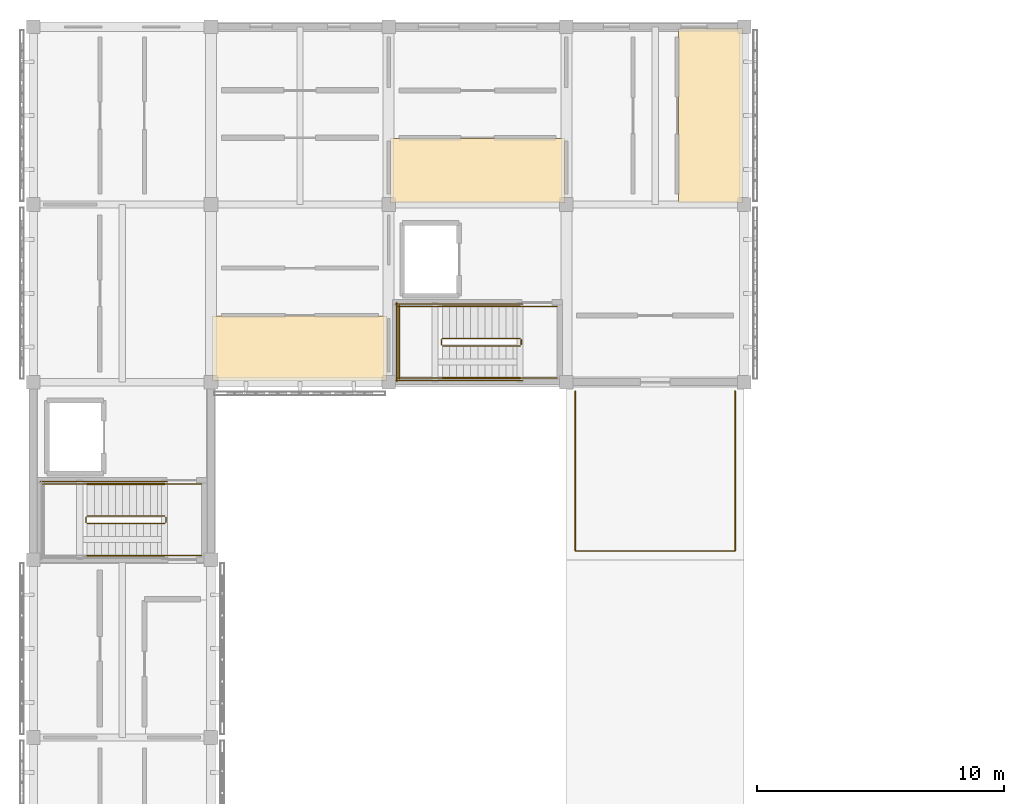
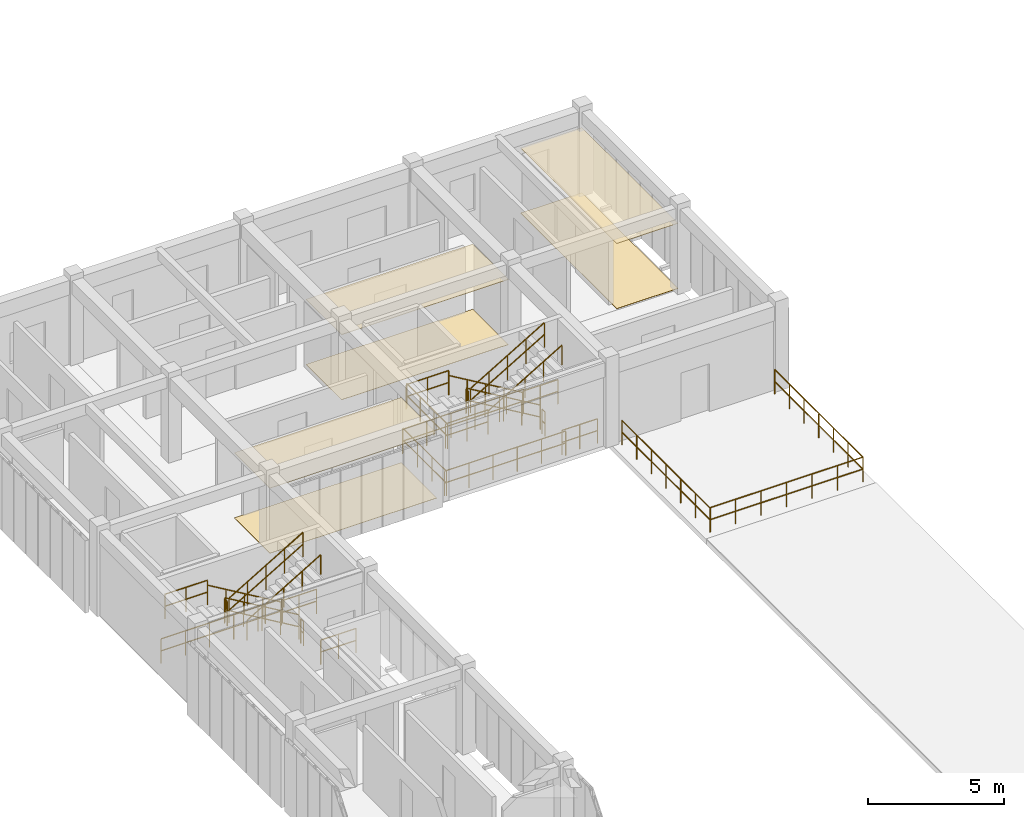
# One storey, part 32 of 33: 27 railings, 6 coverings.
"""IFC4 building model written with IfcOpenShell, lengths in metres."""

from ifc_helpers import new_model, si_unit, direction, frame, origin, origin_2d, place, context, subcontext, project, spatial, polyline, circle, outline, extrude, material, layer, layer_set, type_object, element, save


model = new_model("IFC4")

# Units and contexts
model_context = context("Model", 3, precision=1e-05, world=origin(), true_north=direction((0.0, 1.0)))
body_context = subcontext(model_context, "Body", "Model", "MODEL_VIEW")
ifc_project = project(units=[si_unit("LENGTHUNIT", "METRE"), si_unit("AREAUNIT", "SQUARE_METRE"), si_unit("VOLUMEUNIT", "CUBIC_METRE"), si_unit("PLANEANGLEUNIT", "RADIAN"), si_unit("MASSUNIT", "GRAM", prefix="KILO")], contexts=[model_context])

# Site, building, storey
site_placement = place(None, origin())
site = spatial("IfcSite", under=ifc_project, at=site_placement, CompositionType="ELEMENT")
building_placement = place(site_placement, origin())
building = spatial("IfcBuilding", under=site, at=building_placement, Name="Aldebral Square Health Centre", CompositionType="ELEMENT")
storey_placement = place(building_placement, frame((0.0, 0.0, 17.550048828125)))
storey = spatial("IfcBuildingStorey", under=building, at=storey_placement, Name="L04", CompositionType="ELEMENT", Elevation=17.550048828125)

# Coverings
ifc_material_1 = material(Name="Hygienic acoustic mineral ceiling tile")
ifc_layer_1 = layer(ifc_material_1, 0.02001953125, Name="Hygienic acoustic mineral ceiling tile")
ifc_layer_set_1 = layer_set([ifc_layer_1], Name="Hygienic acoustic mineral ceiling tile")
covering_type_1 = type_object("IfcCoveringType", Name="COV-CLG-AC", PredefinedType="CEILING", material=ifc_layer_set_1)
covering_1_placement = place(storey_placement, frame((0.0, 0.0, 2.919921875)))
element("IfcCovering", 1, at=covering_1_placement, inside=storey, type_object=covering_type_1, Name="L04 Preventive Screening Room 2.15S acoustic ceiling", PredefinedType="CEILING", context=body_context, shape_type="SweptSolid", body=[
    extrude(outline(polyline([(7.260009765625, 100.860107421875), (14.340087890625, 100.860107421875), (14.340087890625, 103.47998046875), (7.260009765625, 103.47998046875), (7.260009765625, 100.860107421875)])), origin(), (0.0, 0.0, 1.0), 0.02001953125),
])
covering_2_placement = place(storey_placement, frame((0.0, 0.0, 2.919921875)))
element("IfcCovering", 2, at=covering_2_placement, inside=storey, type_object=covering_type_1, Name="L04 Neurology Consulting Suite 3.16S acoustic ceiling", PredefinedType="CEILING", context=body_context, shape_type="SweptSolid", body=[
    extrude(outline(polyline([(14.4599609375, 108.06005859375), (21.5400390625, 108.06005859375), (21.5400390625, 110.679931640625), (14.4599609375, 110.679931640625), (14.4599609375, 108.06005859375)])), origin(), (0.0, 0.0, 1.0), 0.02001953125),
])
covering_3_placement = place(storey_placement, frame((0.0, 0.0, 2.919921875)))
element("IfcCovering", 3, at=covering_3_placement, inside=storey, type_object=covering_type_1, Name="L04 Accessible WC 4.16E acoustic ceiling", PredefinedType="CEILING", context=body_context, shape_type="SweptSolid", body=[
    extrude(outline(polyline([(26.139892578125, 108.06005859375), (28.739990234375, 108.06005859375), (28.739990234375, 115.139892578125), (26.139892578125, 115.139892578125), (26.139892578125, 108.06005859375)])), origin(), (0.0, 0.0, 1.0), 0.02001953125),
])
ifc_material_2 = material(Name="Antimicrobial clinical vinyl flooring")
ifc_layer_2 = layer(ifc_material_2, 0.014892578125, Name="Antimicrobial clinical vinyl flooring")
ifc_layer_set_2 = layer_set([ifc_layer_2], Name="Antimicrobial clinical vinyl flooring")
covering_type_2 = type_object("IfcCoveringType", Name="COV-FLR-VN", PredefinedType="FLOORING", material=ifc_layer_set_2)
covering_4_placement = place(storey_placement, origin())
element("IfcCovering", 4, at=covering_4_placement, inside=storey, type_object=covering_type_2, Name="L04 Preventive Screening Room 2.15S clinical flooring", PredefinedType="FLOORING", context=body_context, shape_type="SweptSolid", body=[
    extrude(outline(polyline([(7.260009765625, 100.860107421875), (14.340087890625, 100.860107421875), (14.340087890625, 103.47998046875), (7.260009765625, 103.47998046875), (7.260009765625, 100.860107421875)])), origin(), (0.0, 0.0, 1.0), 0.014892578125),
])
covering_5_placement = place(storey_placement, origin())
element("IfcCovering", 5, at=covering_5_placement, inside=storey, type_object=covering_type_2, Name="L04 Neurology Consulting Suite 3.16S clinical flooring", PredefinedType="FLOORING", context=body_context, shape_type="SweptSolid", body=[
    extrude(outline(polyline([(14.4599609375, 108.06005859375), (21.5400390625, 108.06005859375), (21.5400390625, 110.679931640625), (14.4599609375, 110.679931640625), (14.4599609375, 108.06005859375)])), origin(), (0.0, 0.0, 1.0), 0.014892578125),
])
covering_6_placement = place(storey_placement, origin())
element("IfcCovering", 6, at=covering_6_placement, inside=storey, type_object=covering_type_2, Name="L04 Accessible WC 4.16E clinical flooring", PredefinedType="FLOORING", context=body_context, shape_type="SweptSolid", body=[
    extrude(outline(polyline([(26.139892578125, 108.06005859375), (28.739990234375, 108.06005859375), (28.739990234375, 115.139892578125), (26.139892578125, 115.139892578125), (26.139892578125, 108.06005859375)])), origin(), (0.0, 0.0, 1.0), 0.014892578125),
])

# Railings
ifc_material_3 = material(Name="Cream cantera and steel balustrade", Category="steel")
railing_type_1 = type_object("IfcRailingType", Name="RL-EXT-BAL", PredefinedType="BALUSTRADE", material=ifc_material_3)
railing_1_placement = place(storey_placement, frame((21.9599609375, 93.9599609375, 0.0)))
element("IfcRailing", 7, at=railing_1_placement, inside=storey, type_object=railing_type_1, Name="L04 Garden Terrace perimeter guard 4", PredefinedType="BALUSTRADE", context=body_context, shape_type="SweptSolid", body=[
    extrude(circle(Radius=0.02392578125, at=origin_2d()), frame((0.0, 0.0, 1.09619140625), z_axis=(1.0, 0.0, 0.0), x_axis=(0.0, 1.0, 0.0)), (0.0, 0.0, 1.0), 6.47998046875),
    extrude(circle(Radius=0.02392578125, at=origin_2d()), frame((0.0, 0.0, 0.56005859375), z_axis=(1.0, 0.0, 0.0), x_axis=(0.0, 1.0, 0.0)), (0.0, 0.0, 1.0), 6.47998046875),
    extrude(circle(Radius=0.02099609375, at=origin_2d()), origin(), (0.0, 0.0, 1.0), 1.072021484375),
    extrude(circle(Radius=0.02099609375, at=origin_2d()), frame((1.080078125, 0.0, 0.0)), (0.0, 0.0, 1.0), 1.072021484375),
    extrude(circle(Radius=0.02099609375, at=origin_2d()), frame((2.159912109375, 0.0, 0.0)), (0.0, 0.0, 1.0), 1.072021484375),
    extrude(circle(Radius=0.02099609375, at=origin_2d()), frame((3.239990234375, 0.0, 0.0)), (0.0, 0.0, 1.0), 1.072021484375),
    extrude(circle(Radius=0.02099609375, at=origin_2d()), frame((4.320068359375, 0.0, 0.0)), (0.0, 0.0, 1.0), 1.072021484375),
    extrude(circle(Radius=0.02099609375, at=origin_2d()), frame((5.39990234375, 0.0, 0.0)), (0.0, 0.0, 1.0), 1.072021484375),
    extrude(circle(Radius=0.02099609375, at=origin_2d()), frame((6.47998046875, 0.0, 0.0)), (0.0, 0.0, 1.0), 1.072021484375),
])
railing_2_placement = place(storey_placement, frame((28.43994140625, 93.9599609375, 0.0)))
element("IfcRailing", 8, at=railing_2_placement, inside=storey, type_object=railing_type_1, Name="L04 Garden Terrace perimeter guard 6", PredefinedType="BALUSTRADE", context=body_context, shape_type="SweptSolid", body=[
    extrude(circle(Radius=0.02392578125, at=origin_2d()), frame((0.0, 0.0, 1.09619140625), z_axis=(0.0, 1.0, 0.0), x_axis=(-1.0, 0.0, 0.0)), (0.0, 0.0, 1.0), 6.47998046875),
    extrude(circle(Radius=0.02392578125, at=origin_2d()), frame((0.0, 0.0, 0.56005859375), z_axis=(0.0, 1.0, 0.0), x_axis=(-1.0, 0.0, 0.0)), (0.0, 0.0, 1.0), 6.47998046875),
    extrude(circle(Radius=0.02099609375, at=origin_2d()), origin(), (0.0, 0.0, 1.0), 1.072021484375),
    extrude(circle(Radius=0.02099609375, at=origin_2d()), frame((0.0, 1.080078125, 0.0)), (0.0, 0.0, 1.0), 1.072021484375),
    extrude(circle(Radius=0.02099609375, at=origin_2d()), frame((0.0, 2.159912109375, 0.0)), (0.0, 0.0, 1.0), 1.072021484375),
    extrude(circle(Radius=0.02099609375, at=origin_2d()), frame((0.0, 3.239990234375, 0.0)), (0.0, 0.0, 1.0), 1.072021484375),
    extrude(circle(Radius=0.02099609375, at=origin_2d()), frame((0.0, 4.320068359375, 0.0)), (0.0, 0.0, 1.0), 1.072021484375),
    extrude(circle(Radius=0.02099609375, at=origin_2d()), frame((0.0, 5.39990234375, 0.0)), (0.0, 0.0, 1.0), 1.072021484375),
    extrude(circle(Radius=0.02099609375, at=origin_2d()), frame((0.0, 6.47998046875, 0.0)), (0.0, 0.0, 1.0), 1.072021484375),
])
ifc_material_4 = material(Name="Painted steel S355JR guard", Category="steel")
railing_type_2 = type_object("IfcRailingType", Name="RL-EXT-GRD", PredefinedType="GUARDRAIL", material=ifc_material_4)
railing_3_placement = place(storey_placement, frame((21.9599609375, 93.9599609375, 0.0)))
element("IfcRailing", 9, at=railing_3_placement, inside=storey, type_object=railing_type_2, Name="L04 Garden Terrace perimeter guard 5", PredefinedType="GUARDRAIL", context=body_context, shape_type="SweptSolid", body=[
    extrude(circle(Radius=0.02392578125, at=origin_2d()), frame((0.0, 0.0, 1.076171875), z_axis=(0.0, 1.0, 0.0), x_axis=(-1.0, 0.0, 0.0)), (0.0, 0.0, 1.0), 6.47998046875),
    extrude(circle(Radius=0.02392578125, at=origin_2d()), frame((0.0, 0.0, 0.550048828125), z_axis=(0.0, 1.0, 0.0), x_axis=(-1.0, 0.0, 0.0)), (0.0, 0.0, 1.0), 6.47998046875),
    extrude(circle(Radius=0.02099609375, at=origin_2d()), origin(), (0.0, 0.0, 1.0), 1.052001953125),
    extrude(circle(Radius=0.02099609375, at=origin_2d()), frame((0.0, 1.080078125, 0.0)), (0.0, 0.0, 1.0), 1.052001953125),
    extrude(circle(Radius=0.02099609375, at=origin_2d()), frame((0.0, 2.159912109375, 0.0)), (0.0, 0.0, 1.0), 1.052001953125),
    extrude(circle(Radius=0.02099609375, at=origin_2d()), frame((0.0, 3.239990234375, 0.0)), (0.0, 0.0, 1.0), 1.052001953125),
    extrude(circle(Radius=0.02099609375, at=origin_2d()), frame((0.0, 4.320068359375, 0.0)), (0.0, 0.0, 1.0), 1.052001953125),
    extrude(circle(Radius=0.02099609375, at=origin_2d()), frame((0.0, 5.39990234375, 0.0)), (0.0, 0.0, 1.0), 1.052001953125),
    extrude(circle(Radius=0.02099609375, at=origin_2d()), frame((0.0, 6.47998046875, 0.0)), (0.0, 0.0, 1.0), 1.052001953125),
])
ifc_material_5 = material(Name="Painted steel S355JR stair guard", Category="steel")
railing_type_3 = type_object("IfcRailingType", Name="RL-ST-GRD", PredefinedType="GUARDRAIL", material=ifc_material_5)
railing_4_placement = place(storey_placement, frame((5.320068359375, 95.3701171875, 0.168701171875)))
element("IfcRailing", 10, at=railing_4_placement, inside=storey, type_object=railing_type_3, Name="L04 ST-01 stair guard 1", PredefinedType="GUARDRAIL", context=body_context, shape_type="SweptSolid", body=[
    extrude(circle(Radius=0.02392578125, at=origin_2d()), frame((0.0, 0.0, 1.09619140625), z_axis=(-0.860481960309, 0.0, 0.509480908359), x_axis=(0.0, -1.0, 0.0)), (0.0, 0.0, 1.0), 3.643310546875),
    extrude(circle(Radius=0.02392578125, at=origin_2d()), frame((0.0, 0.0, 0.56005859375), z_axis=(-0.860481960309, 0.0, 0.509480908359), x_axis=(0.0, -1.0, 0.0)), (0.0, 0.0, 1.0), 3.643310546875),
    extrude(circle(Radius=0.02099609375, at=origin_2d()), origin(), (0.0, 0.0, 1.0), 1.072021484375),
    extrude(circle(Radius=0.02099609375, at=origin_2d()), frame((-0.78369140625, 0.0, 0.464111328125)), (0.0, 0.0, 1.0), 1.072021484375),
    extrude(circle(Radius=0.02099609375, at=origin_2d()), frame((-1.5673828125, 0.0, 0.92822265625)), (0.0, 0.0, 1.0), 1.072021484375),
    extrude(circle(Radius=0.02099609375, at=origin_2d()), frame((-2.351318359375, 0.0, 1.39208984375)), (0.0, 0.0, 1.0), 1.072021484375),
    extrude(circle(Radius=0.02099609375, at=origin_2d()), frame((-3.135009765625, 0.0, 1.856201171875)), (0.0, 0.0, 1.0), 1.072021484375),
])
railing_5_placement = place(storey_placement, frame((2.135009765625, 95.320068359375, 2.02490234375)))
element("IfcRailing", 11, at=railing_5_placement, inside=storey, type_object=railing_type_3, Name="L04 ST-01 stair guard 2", PredefinedType="GUARDRAIL", context=body_context, shape_type="SweptSolid", body=[
    extrude(circle(Radius=0.02392578125, at=origin_2d()), frame((0.0, 0.0, 1.09619140625), z_axis=(0.0, -1.0, 0.0), x_axis=(1.0, 0.0, 0.0)), (0.0, 0.0, 1.0), 0.199951171875),
    extrude(circle(Radius=0.02392578125, at=origin_2d()), frame((0.0, 0.0, 0.56005859375), z_axis=(0.0, -1.0, 0.0), x_axis=(1.0, 0.0, 0.0)), (0.0, 0.0, 1.0), 0.199951171875),
    extrude(circle(Radius=0.02099609375, at=origin_2d()), origin(), (0.0, 0.0, 1.0), 1.072021484375),
    extrude(circle(Radius=0.02099609375, at=origin_2d()), frame((0.0, -0.199951171875, 0.0)), (0.0, 0.0, 1.0), 1.072021484375),
])
railing_6_placement = place(storey_placement, frame((2.18505859375, 96.669921875, 2.02490234375)))
element("IfcRailing", 12, at=railing_6_placement, inside=storey, type_object=railing_type_3, Name="L04 ST-01 stair guard 3", PredefinedType="GUARDRAIL", context=body_context, shape_type="SweptSolid", body=[
    extrude(circle(Radius=0.02392578125, at=origin_2d()), frame((0.0, 0.0, 1.09619140625), z_axis=(-1.0, 0.0, 0.0), x_axis=(0.0, -1.0, 0.0)), (0.0, 0.0, 1.0), 1.80517578125),
    extrude(circle(Radius=0.02392578125, at=origin_2d()), frame((0.0, 0.0, 0.56005859375), z_axis=(-1.0, 0.0, 0.0), x_axis=(0.0, -1.0, 0.0)), (0.0, 0.0, 1.0), 1.80517578125),
    extrude(circle(Radius=0.02099609375, at=origin_2d()), origin(), (0.0, 0.0, 1.0), 1.072021484375),
    extrude(circle(Radius=0.02099609375, at=origin_2d()), frame((-0.902587890625, 0.0, 0.0)), (0.0, 0.0, 1.0), 1.072021484375),
    extrude(circle(Radius=0.02099609375, at=origin_2d()), frame((-1.80517578125, 0.0, 0.0)), (0.0, 0.0, 1.0), 1.072021484375),
])
railing_7_placement = place(storey_placement, frame((2.18505859375, 95.070068359375, 2.193603515625)))
element("IfcRailing", 13, at=railing_7_placement, inside=storey, type_object=railing_type_3, Name="L04 ST-01 stair guard 6", PredefinedType="GUARDRAIL", context=body_context, shape_type="SweptSolid", body=[
    extrude(circle(Radius=0.02392578125, at=origin_2d()), frame((0.0, 0.0, 1.09619140625), z_axis=(0.860452582533, 0.0, 0.509530522356), x_axis=(0.0, 1.0, 0.0)), (0.0, 0.0, 1.0), 3.6435546875),
    extrude(circle(Radius=0.02392578125, at=origin_2d()), frame((0.0, 0.0, 0.56005859375), z_axis=(0.860452582533, 0.0, 0.509530522356), x_axis=(0.0, 1.0, 0.0)), (0.0, 0.0, 1.0), 3.6435546875),
    extrude(circle(Radius=0.02099609375, at=origin_2d()), origin(), (0.0, 0.0, 1.0), 1.072021484375),
    extrude(circle(Radius=0.02099609375, at=origin_2d()), frame((0.78369140625, 0.0, 0.464111328125)), (0.0, 0.0, 1.0), 1.072021484375),
    extrude(circle(Radius=0.02099609375, at=origin_2d()), frame((1.5673828125, 0.0, 0.92822265625)), (0.0, 0.0, 1.0), 1.072021484375),
    extrude(circle(Radius=0.02099609375, at=origin_2d()), frame((2.351318359375, 0.0, 1.392333984375)), (0.0, 0.0, 1.0), 1.072021484375),
    extrude(circle(Radius=0.02099609375, at=origin_2d()), frame((3.135009765625, 0.0, 1.8564453125)), (0.0, 0.0, 1.0), 1.072021484375),
])
railing_8_placement = place(storey_placement, frame((5.3701171875, 95.320068359375, 0.0)))
element("IfcRailing", 14, at=railing_8_placement, inside=storey, type_object=railing_type_3, Name="L04 ST-01 stair guard 7", PredefinedType="GUARDRAIL", context=body_context, shape_type="SweptSolid", body=[
    extrude(circle(Radius=0.02392578125, at=origin_2d()), frame((0.0, 0.0, 1.09619140625), z_axis=(0.0, -1.0, 0.0), x_axis=(1.0, 0.0, 0.0)), (0.0, 0.0, 1.0), 0.199951171875),
    extrude(circle(Radius=0.02392578125, at=origin_2d()), frame((0.0, 0.0, 0.56005859375), z_axis=(0.0, -1.0, 0.0), x_axis=(1.0, 0.0, 0.0)), (0.0, 0.0, 1.0), 0.199951171875),
    extrude(circle(Radius=0.02099609375, at=origin_2d()), origin(), (0.0, 0.0, 1.0), 1.072021484375),
    extrude(circle(Radius=0.02099609375, at=origin_2d()), frame((0.0, -0.199951171875, 0.0)), (0.0, 0.0, 1.0), 1.072021484375),
])
for number, where, name in (
    (15, (6.820068359375, 96.669921875, 0.0), "L04 ST-01 stair guard 8"),
    (16, (6.820068359375, 93.77001953125, 0.0), "L04 ST-01 stair guard 9"),
):
    element("IfcRailing", number, at=place(storey_placement, frame(where)), inside=storey, type_object=railing_type_3, Name=name, PredefinedType="GUARDRAIL", context=body_context, shape_type="SweptSolid", body=[
        extrude(circle(Radius=0.02392578125, at=origin_2d()), frame((0.0, 0.0, 1.09619140625), z_axis=(-1.0, 0.0, 0.0), x_axis=(0.0, -1.0, 0.0)), (0.0, 0.0, 1.0), 1.5),
        extrude(circle(Radius=0.02392578125, at=origin_2d()), frame((0.0, 0.0, 0.56005859375), z_axis=(-1.0, 0.0, 0.0), x_axis=(0.0, -1.0, 0.0)), (0.0, 0.0, 1.0), 1.5),
        extrude(circle(Radius=0.02099609375, at=origin_2d()), origin(), (0.0, 0.0, 1.0), 1.072021484375),
        extrude(circle(Radius=0.02099609375, at=origin_2d()), frame((-0.75, 0.0, 0.0)), (0.0, 0.0, 1.0), 1.072021484375),
        extrude(circle(Radius=0.02099609375, at=origin_2d()), frame((-1.5, 0.0, 0.0)), (0.0, 0.0, 1.0), 1.072021484375),
    ])
railing_9_placement = place(storey_placement, frame((5.419921875, 96.77001953125, 0.0)))
element("IfcRailing", 17, at=railing_9_placement, inside=storey, type_object=railing_type_3, Name="L04 ST-01 stair guard 10", PredefinedType="GUARDRAIL", context=body_context, shape_type="SweptSolid", body=[
    extrude(circle(Radius=0.02392578125, at=origin_2d()), frame((0.0, 0.0, 1.09619140625), z_axis=(-1.0, 0.0, 0.0), x_axis=(0.0, -1.0, 0.0)), (0.0, 0.0, 1.0), 5.139892578125),
    extrude(circle(Radius=0.02392578125, at=origin_2d()), frame((0.0, 0.0, 0.56005859375), z_axis=(-1.0, 0.0, 0.0), x_axis=(0.0, -1.0, 0.0)), (0.0, 0.0, 1.0), 5.139892578125),
    extrude(circle(Radius=0.02099609375, at=origin_2d()), origin(), (0.0, 0.0, 1.0), 1.072021484375),
    extrude(circle(Radius=0.02099609375, at=origin_2d()), frame((-1.028076171875, 0.0, 0.0)), (0.0, 0.0, 1.0), 1.072021484375),
    extrude(circle(Radius=0.02099609375, at=origin_2d()), frame((-2.055908203125, 0.0, 0.0)), (0.0, 0.0, 1.0), 1.072021484375),
    extrude(circle(Radius=0.02099609375, at=origin_2d()), frame((-3.083984375, 0.0, 0.0)), (0.0, 0.0, 1.0), 1.072021484375),
    extrude(circle(Radius=0.02099609375, at=origin_2d()), frame((-4.11181640625, 0.0, 0.0)), (0.0, 0.0, 1.0), 1.072021484375),
    extrude(circle(Radius=0.02099609375, at=origin_2d()), frame((-5.139892578125, 0.0, 0.0)), (0.0, 0.0, 1.0), 1.072021484375),
])
railing_10_placement = place(storey_placement, frame((19.719970703125, 102.570068359375, 0.168701171875)))
element("IfcRailing", 18, at=railing_10_placement, inside=storey, type_object=railing_type_3, Name="L04 ST-02 stair guard 1", PredefinedType="GUARDRAIL", context=body_context, shape_type="SweptSolid", body=[
    extrude(circle(Radius=0.02392578125, at=origin_2d()), frame((0.0, 0.0, 1.09619140625), z_axis=(-0.860481960309, 0.0, 0.509480908359), x_axis=(0.0, -1.0, 0.0)), (0.0, 0.0, 1.0), 3.643310546875),
    extrude(circle(Radius=0.02392578125, at=origin_2d()), frame((0.0, 0.0, 0.56005859375), z_axis=(-0.860481960309, 0.0, 0.509480908359), x_axis=(0.0, -1.0, 0.0)), (0.0, 0.0, 1.0), 3.643310546875),
    extrude(circle(Radius=0.02099609375, at=origin_2d()), origin(), (0.0, 0.0, 1.0), 1.072021484375),
    extrude(circle(Radius=0.02099609375, at=origin_2d()), frame((-0.78369140625, 0.0, 0.464111328125)), (0.0, 0.0, 1.0), 1.072021484375),
    extrude(circle(Radius=0.02099609375, at=origin_2d()), frame((-1.5673828125, 0.0, 0.92822265625)), (0.0, 0.0, 1.0), 1.072021484375),
    extrude(circle(Radius=0.02099609375, at=origin_2d()), frame((-2.351318359375, 0.0, 1.39208984375)), (0.0, 0.0, 1.0), 1.072021484375),
    extrude(circle(Radius=0.02099609375, at=origin_2d()), frame((-3.135009765625, 0.0, 1.856201171875)), (0.0, 0.0, 1.0), 1.072021484375),
])
railing_11_placement = place(storey_placement, frame((16.534912109375, 102.52001953125, 2.02490234375)))
element("IfcRailing", 19, at=railing_11_placement, inside=storey, type_object=railing_type_3, Name="L04 ST-02 stair guard 2", PredefinedType="GUARDRAIL", context=body_context, shape_type="SweptSolid", body=[
    extrude(circle(Radius=0.02392578125, at=origin_2d()), frame((0.0, 0.0, 1.09619140625), z_axis=(0.0, -1.0, 0.0), x_axis=(1.0, 0.0, 0.0)), (0.0, 0.0, 1.0), 0.199951171875),
    extrude(circle(Radius=0.02392578125, at=origin_2d()), frame((0.0, 0.0, 0.56005859375), z_axis=(0.0, -1.0, 0.0), x_axis=(1.0, 0.0, 0.0)), (0.0, 0.0, 1.0), 0.199951171875),
    extrude(circle(Radius=0.02099609375, at=origin_2d()), origin(), (0.0, 0.0, 1.0), 1.072021484375),
    extrude(circle(Radius=0.02099609375, at=origin_2d()), frame((0.0, -0.199951171875, 0.0)), (0.0, 0.0, 1.0), 1.072021484375),
])
for number, where, name in (
    (20, (16.5849609375, 103.8701171875, 2.02490234375), "L04 ST-02 stair guard 3"),
    (21, (16.5849609375, 100.969970703125, 2.02490234375), "L04 ST-02 stair guard 4"),
):
    element("IfcRailing", number, at=place(storey_placement, frame(where)), inside=storey, type_object=railing_type_3, Name=name, PredefinedType="GUARDRAIL", context=body_context, shape_type="SweptSolid", body=[
        extrude(circle(Radius=0.02392578125, at=origin_2d()), frame((0.0, 0.0, 1.09619140625), z_axis=(-1.0, 0.0, 0.0), x_axis=(0.0, -1.0, 0.0)), (0.0, 0.0, 1.0), 1.804931640625),
        extrude(circle(Radius=0.02392578125, at=origin_2d()), frame((0.0, 0.0, 0.56005859375), z_axis=(-1.0, 0.0, 0.0), x_axis=(0.0, -1.0, 0.0)), (0.0, 0.0, 1.0), 1.804931640625),
        extrude(circle(Radius=0.02099609375, at=origin_2d()), origin(), (0.0, 0.0, 1.0), 1.072021484375),
        extrude(circle(Radius=0.02099609375, at=origin_2d()), frame((-0.90234375, 0.0, 0.0)), (0.0, 0.0, 1.0), 1.072021484375),
        extrude(circle(Radius=0.02099609375, at=origin_2d()), frame((-1.804931640625, 0.0, 0.0)), (0.0, 0.0, 1.0), 1.072021484375),
    ])
railing_12_placement = place(storey_placement, frame((14.830078125, 103.919921875, 2.02490234375)))
element("IfcRailing", 22, at=railing_12_placement, inside=storey, type_object=railing_type_3, Name="L04 ST-02 stair guard 5", PredefinedType="GUARDRAIL", context=body_context, shape_type="SweptSolid", body=[
    extrude(circle(Radius=0.02392578125, at=origin_2d()), frame((0.0, 0.0, 1.09619140625), z_axis=(0.0, -1.0, 0.0), x_axis=(1.0, 0.0, 0.0)), (0.0, 0.0, 1.0), 3.0),
    extrude(circle(Radius=0.02392578125, at=origin_2d()), frame((0.0, 0.0, 0.56005859375), z_axis=(0.0, -1.0, 0.0), x_axis=(1.0, 0.0, 0.0)), (0.0, 0.0, 1.0), 3.0),
    extrude(circle(Radius=0.02099609375, at=origin_2d()), origin(), (0.0, 0.0, 1.0), 1.072021484375),
    extrude(circle(Radius=0.02099609375, at=origin_2d()), frame((0.0, -1.0, 0.0)), (0.0, 0.0, 1.0), 1.072021484375),
    extrude(circle(Radius=0.02099609375, at=origin_2d()), frame((0.0, -2.0, 0.0)), (0.0, 0.0, 1.0), 1.072021484375),
    extrude(circle(Radius=0.02099609375, at=origin_2d()), frame((0.0, -3.0, 0.0)), (0.0, 0.0, 1.0), 1.072021484375),
])
railing_13_placement = place(storey_placement, frame((16.5849609375, 102.27001953125, 2.193603515625)))
element("IfcRailing", 23, at=railing_13_placement, inside=storey, type_object=railing_type_3, Name="L04 ST-02 stair guard 6", PredefinedType="GUARDRAIL", context=body_context, shape_type="SweptSolid", body=[
    extrude(circle(Radius=0.02392578125, at=origin_2d()), frame((0.0, 0.0, 1.09619140625), z_axis=(0.860452582533, 0.0, 0.509530522356), x_axis=(0.0, 1.0, 0.0)), (0.0, 0.0, 1.0), 3.6435546875),
    extrude(circle(Radius=0.02392578125, at=origin_2d()), frame((0.0, 0.0, 0.56005859375), z_axis=(0.860452582533, 0.0, 0.509530522356), x_axis=(0.0, 1.0, 0.0)), (0.0, 0.0, 1.0), 3.6435546875),
    extrude(circle(Radius=0.02099609375, at=origin_2d()), origin(), (0.0, 0.0, 1.0), 1.072021484375),
    extrude(circle(Radius=0.02099609375, at=origin_2d()), frame((0.78369140625, 0.0, 0.464111328125)), (0.0, 0.0, 1.0), 1.072021484375),
    extrude(circle(Radius=0.02099609375, at=origin_2d()), frame((1.5673828125, 0.0, 0.92822265625)), (0.0, 0.0, 1.0), 1.072021484375),
    extrude(circle(Radius=0.02099609375, at=origin_2d()), frame((2.351318359375, 0.0, 1.392333984375)), (0.0, 0.0, 1.0), 1.072021484375),
    extrude(circle(Radius=0.02099609375, at=origin_2d()), frame((3.135009765625, 0.0, 1.8564453125)), (0.0, 0.0, 1.0), 1.072021484375),
])
railing_14_placement = place(storey_placement, frame((19.77001953125, 102.52001953125, 0.0)))
element("IfcRailing", 24, at=railing_14_placement, inside=storey, type_object=railing_type_3, Name="L04 ST-02 stair guard 7", PredefinedType="GUARDRAIL", context=body_context, shape_type="SweptSolid", body=[
    extrude(circle(Radius=0.02392578125, at=origin_2d()), frame((0.0, 0.0, 1.09619140625), z_axis=(0.0, -1.0, 0.0), x_axis=(1.0, 0.0, 0.0)), (0.0, 0.0, 1.0), 0.199951171875),
    extrude(circle(Radius=0.02392578125, at=origin_2d()), frame((0.0, 0.0, 0.56005859375), z_axis=(0.0, -1.0, 0.0), x_axis=(1.0, 0.0, 0.0)), (0.0, 0.0, 1.0), 0.199951171875),
    extrude(circle(Radius=0.02099609375, at=origin_2d()), origin(), (0.0, 0.0, 1.0), 1.072021484375),
    extrude(circle(Radius=0.02099609375, at=origin_2d()), frame((0.0, -0.199951171875, 0.0)), (0.0, 0.0, 1.0), 1.072021484375),
])
for number, where, name in (
    (25, (21.219970703125, 103.8701171875, 0.0), "L04 ST-02 stair guard 8"),
    (26, (21.219970703125, 100.969970703125, 0.0), "L04 ST-02 stair guard 9"),
):
    element("IfcRailing", number, at=place(storey_placement, frame(where)), inside=storey, type_object=railing_type_3, Name=name, PredefinedType="GUARDRAIL", context=body_context, shape_type="SweptSolid", body=[
        extrude(circle(Radius=0.02392578125, at=origin_2d()), frame((0.0, 0.0, 1.09619140625), z_axis=(-1.0, 0.0, 0.0), x_axis=(0.0, -1.0, 0.0)), (0.0, 0.0, 1.0), 1.5),
        extrude(circle(Radius=0.02392578125, at=origin_2d()), frame((0.0, 0.0, 0.56005859375), z_axis=(-1.0, 0.0, 0.0), x_axis=(0.0, -1.0, 0.0)), (0.0, 0.0, 1.0), 1.5),
        extrude(circle(Radius=0.02099609375, at=origin_2d()), origin(), (0.0, 0.0, 1.0), 1.072021484375),
        extrude(circle(Radius=0.02099609375, at=origin_2d()), frame((-0.75, 0.0, 0.0)), (0.0, 0.0, 1.0), 1.072021484375),
        extrude(circle(Radius=0.02099609375, at=origin_2d()), frame((-1.5, 0.0, 0.0)), (0.0, 0.0, 1.0), 1.072021484375),
    ])
for number, where, name in (
    (27, (19.820068359375, 103.969970703125, 0.0), "L04 ST-02 stair guard 10"),
    (28, (19.820068359375, 100.8701171875, 0.0), "L04 ST-02 stair guard 11"),
):
    element("IfcRailing", number, at=place(storey_placement, frame(where)), inside=storey, type_object=railing_type_3, Name=name, PredefinedType="GUARDRAIL", context=body_context, shape_type="SweptSolid", body=[
        extrude(circle(Radius=0.02392578125, at=origin_2d()), frame((0.0, 0.0, 1.09619140625), z_axis=(-1.0, 0.0, 0.0), x_axis=(0.0, -1.0, 0.0)), (0.0, 0.0, 1.0), 5.14013671875),
        extrude(circle(Radius=0.02392578125, at=origin_2d()), frame((0.0, 0.0, 0.56005859375), z_axis=(-1.0, 0.0, 0.0), x_axis=(0.0, -1.0, 0.0)), (0.0, 0.0, 1.0), 5.14013671875),
        extrude(circle(Radius=0.02099609375, at=origin_2d()), origin(), (0.0, 0.0, 1.0), 1.072021484375),
        extrude(circle(Radius=0.02099609375, at=origin_2d()), frame((-1.028076171875, 0.0, 0.0)), (0.0, 0.0, 1.0), 1.072021484375),
        extrude(circle(Radius=0.02099609375, at=origin_2d()), frame((-2.05615234375, 0.0, 0.0)), (0.0, 0.0, 1.0), 1.072021484375),
        extrude(circle(Radius=0.02099609375, at=origin_2d()), frame((-3.083984375, 0.0, 0.0)), (0.0, 0.0, 1.0), 1.072021484375),
        extrude(circle(Radius=0.02099609375, at=origin_2d()), frame((-4.112060546875, 0.0, 0.0)), (0.0, 0.0, 1.0), 1.072021484375),
        extrude(circle(Radius=0.02099609375, at=origin_2d()), frame((-5.14013671875, 0.0, 0.0)), (0.0, 0.0, 1.0), 1.072021484375),
    ])
railing_15_placement = place(storey_placement, frame((14.72998046875, 104.02001953125, 0.0)))
element("IfcRailing", 29, at=railing_15_placement, inside=storey, type_object=railing_type_3, Name="L04 ST-02 stair guard 12", PredefinedType="GUARDRAIL", context=body_context, shape_type="SweptSolid", body=[
    extrude(circle(Radius=0.02392578125, at=origin_2d()), frame((0.0, 0.0, 1.09619140625), z_axis=(0.0, -1.0, 0.0), x_axis=(1.0, 0.0, 0.0)), (0.0, 0.0, 1.0), 3.199951171875),
    extrude(circle(Radius=0.02392578125, at=origin_2d()), frame((0.0, 0.0, 0.56005859375), z_axis=(0.0, -1.0, 0.0), x_axis=(1.0, 0.0, 0.0)), (0.0, 0.0, 1.0), 3.199951171875),
    extrude(circle(Radius=0.02099609375, at=origin_2d()), origin(), (0.0, 0.0, 1.0), 1.072021484375),
    extrude(circle(Radius=0.02099609375, at=origin_2d()), frame((0.0, -1.066650390625, 0.0)), (0.0, 0.0, 1.0), 1.072021484375),
    extrude(circle(Radius=0.02099609375, at=origin_2d()), frame((0.0, -2.13330078125, 0.0)), (0.0, 0.0, 1.0), 1.072021484375),
    extrude(circle(Radius=0.02099609375, at=origin_2d()), frame((0.0, -3.199951171875, 0.0)), (0.0, 0.0, 1.0), 1.072021484375),
])
ifc_material_6 = material(Name="Brushed stainless steel handrail", Category="steel")
railing_type_4 = type_object("IfcRailingType", Name="RL-ST-HND", PredefinedType="HANDRAIL", material=ifc_material_6)
railing_16_placement = place(storey_placement, frame((5.320068359375, 96.669921875, 0.168701171875)))
element("IfcRailing", 30, at=railing_16_placement, inside=storey, type_object=railing_type_4, Name="L04 ST-01 stair handrail 1", PredefinedType="HANDRAIL", context=body_context, shape_type="SweptSolid", body=[
    extrude(circle(Radius=0.02392578125, at=origin_2d()), frame((0.0, 0.0, 0.8759765625), z_axis=(-0.860481960309, 0.0, 0.509480908359), x_axis=(0.0, -1.0, 0.0)), (0.0, 0.0, 1.0), 3.643310546875),
    extrude(circle(Radius=0.02099609375, at=origin_2d()), origin(), (0.0, 0.0, 1.0), 0.851806640625),
    extrude(circle(Radius=0.02099609375, at=origin_2d()), frame((-0.78369140625, 0.0, 0.464111328125)), (0.0, 0.0, 1.0), 0.851806640625),
    extrude(circle(Radius=0.02099609375, at=origin_2d()), frame((-1.5673828125, 0.0, 0.92822265625)), (0.0, 0.0, 1.0), 0.851806640625),
    extrude(circle(Radius=0.02099609375, at=origin_2d()), frame((-2.351318359375, 0.0, 1.39208984375)), (0.0, 0.0, 1.0), 0.851806640625),
    extrude(circle(Radius=0.02099609375, at=origin_2d()), frame((-3.135009765625, 0.0, 1.856201171875)), (0.0, 0.0, 1.0), 0.851806640625),
])
railing_17_placement = place(storey_placement, frame((2.18505859375, 93.77001953125, 2.193603515625)))
element("IfcRailing", 31, at=railing_17_placement, inside=storey, type_object=railing_type_4, Name="L04 ST-01 stair handrail 2", PredefinedType="HANDRAIL", context=body_context, shape_type="SweptSolid", body=[
    extrude(circle(Radius=0.02392578125, at=origin_2d()), frame((0.0, 0.0, 0.8759765625), z_axis=(0.860452582533, 0.0, 0.509530522356), x_axis=(0.0, 1.0, 0.0)), (0.0, 0.0, 1.0), 3.6435546875),
    extrude(circle(Radius=0.02099609375, at=origin_2d()), origin(), (0.0, 0.0, 1.0), 0.851806640625),
    extrude(circle(Radius=0.02099609375, at=origin_2d()), frame((0.78369140625, 0.0, 0.464111328125)), (0.0, 0.0, 1.0), 0.851806640625),
    extrude(circle(Radius=0.02099609375, at=origin_2d()), frame((1.5673828125, 0.0, 0.92822265625)), (0.0, 0.0, 1.0), 0.851806640625),
    extrude(circle(Radius=0.02099609375, at=origin_2d()), frame((2.351318359375, 0.0, 1.392333984375)), (0.0, 0.0, 1.0), 0.851806640625),
    extrude(circle(Radius=0.02099609375, at=origin_2d()), frame((3.135009765625, 0.0, 1.8564453125)), (0.0, 0.0, 1.0), 0.851806640625),
])
railing_18_placement = place(storey_placement, frame((19.719970703125, 103.8701171875, 0.168701171875)))
element("IfcRailing", 32, at=railing_18_placement, inside=storey, type_object=railing_type_4, Name="L04 ST-02 stair handrail 1", PredefinedType="HANDRAIL", context=body_context, shape_type="SweptSolid", body=[
    extrude(circle(Radius=0.02392578125, at=origin_2d()), frame((0.0, 0.0, 0.8759765625), z_axis=(-0.860481960309, 0.0, 0.509480908359), x_axis=(0.0, -1.0, 0.0)), (0.0, 0.0, 1.0), 3.643310546875),
    extrude(circle(Radius=0.02099609375, at=origin_2d()), origin(), (0.0, 0.0, 1.0), 0.851806640625),
    extrude(circle(Radius=0.02099609375, at=origin_2d()), frame((-0.78369140625, 0.0, 0.464111328125)), (0.0, 0.0, 1.0), 0.851806640625),
    extrude(circle(Radius=0.02099609375, at=origin_2d()), frame((-1.5673828125, 0.0, 0.92822265625)), (0.0, 0.0, 1.0), 0.851806640625),
    extrude(circle(Radius=0.02099609375, at=origin_2d()), frame((-2.351318359375, 0.0, 1.39208984375)), (0.0, 0.0, 1.0), 0.851806640625),
    extrude(circle(Radius=0.02099609375, at=origin_2d()), frame((-3.135009765625, 0.0, 1.856201171875)), (0.0, 0.0, 1.0), 0.851806640625),
])
railing_19_placement = place(storey_placement, frame((16.5849609375, 100.969970703125, 2.193603515625)))
element("IfcRailing", 33, at=railing_19_placement, inside=storey, type_object=railing_type_4, Name="L04 ST-02 stair handrail 2", PredefinedType="HANDRAIL", context=body_context, shape_type="SweptSolid", body=[
    extrude(circle(Radius=0.02392578125, at=origin_2d()), frame((0.0, 0.0, 0.8759765625), z_axis=(0.860452582533, 0.0, 0.509530522356), x_axis=(0.0, 1.0, 0.0)), (0.0, 0.0, 1.0), 3.6435546875),
    extrude(circle(Radius=0.02099609375, at=origin_2d()), origin(), (0.0, 0.0, 1.0), 0.851806640625),
    extrude(circle(Radius=0.02099609375, at=origin_2d()), frame((0.78369140625, 0.0, 0.464111328125)), (0.0, 0.0, 1.0), 0.851806640625),
    extrude(circle(Radius=0.02099609375, at=origin_2d()), frame((1.5673828125, 0.0, 0.92822265625)), (0.0, 0.0, 1.0), 0.851806640625),
    extrude(circle(Radius=0.02099609375, at=origin_2d()), frame((2.351318359375, 0.0, 1.392333984375)), (0.0, 0.0, 1.0), 0.851806640625),
    extrude(circle(Radius=0.02099609375, at=origin_2d()), frame((3.135009765625, 0.0, 1.8564453125)), (0.0, 0.0, 1.0), 0.851806640625),
])

save(model, "model.ifc")
